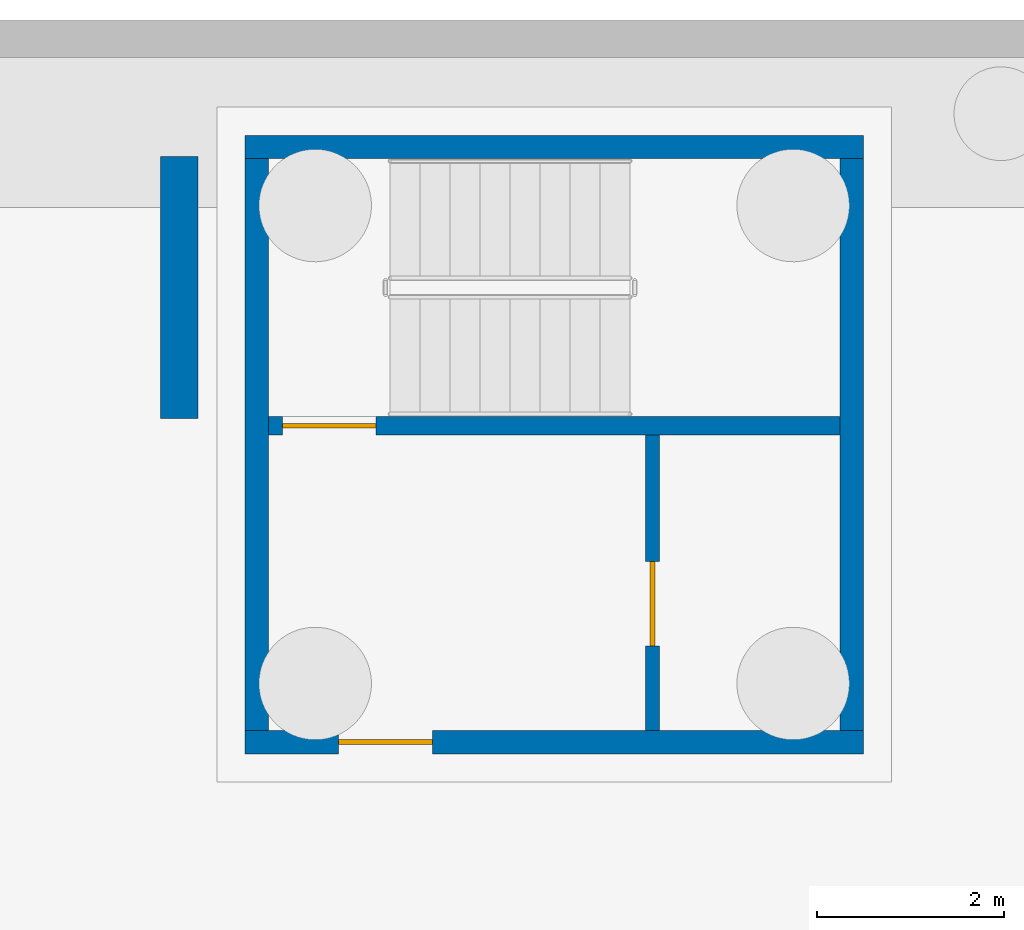
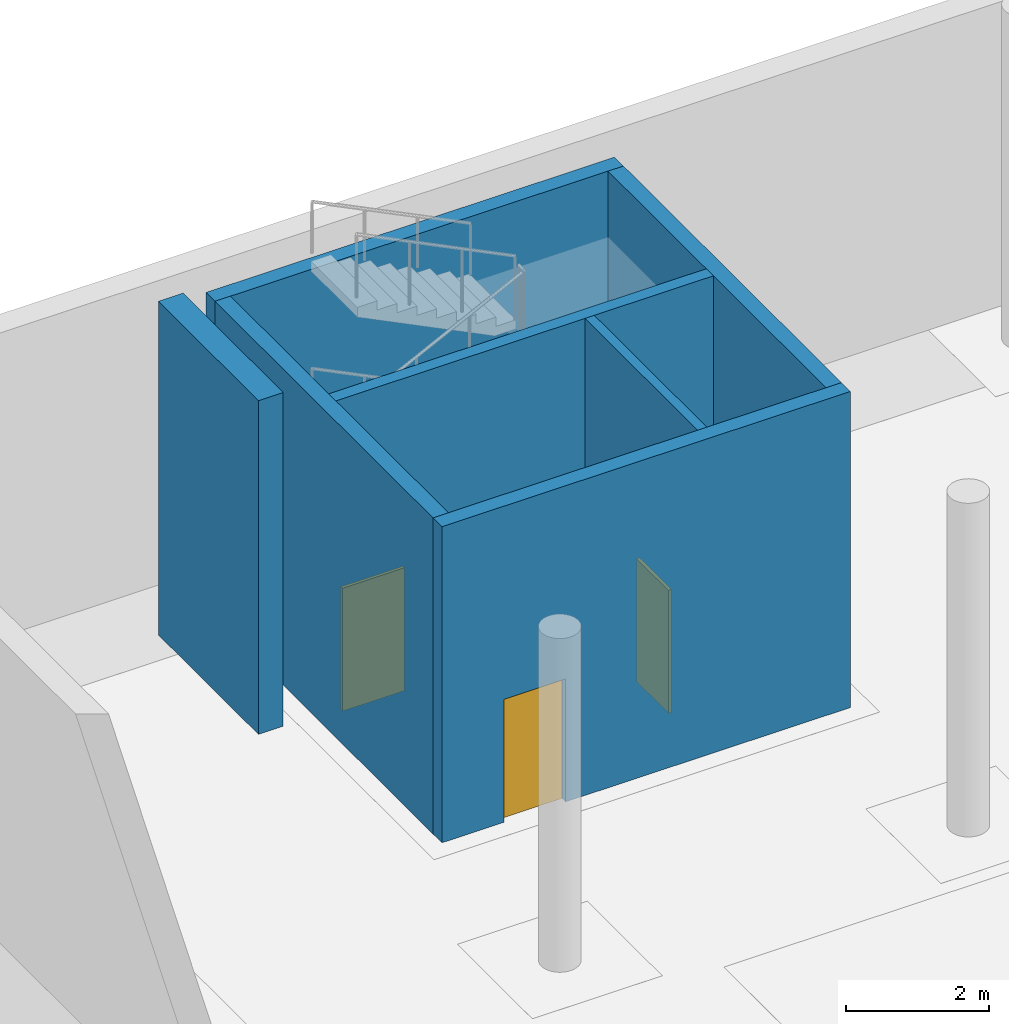
# One storey, part 17 of 38: 7 walls, 3 doors, 3 openings.
"""IFC4 building model written with IfcOpenShell, lengths in metres."""

from ifc_helpers import new_model, si_unit, direction, frame, frame_2d, origin, place, context, subcontext, project, spatial, rectangle, extrude, material, layer, layer_set, type_object, element, fill, save


model = new_model("IFC4")

# Units and contexts
model_context = context("Model", 3, precision=1e-05, world=origin(), true_north=direction((0.0, 1.0)))
body_context = subcontext(model_context, "Body", "Model", "MODEL_VIEW")
ifc_project = project(units=[si_unit("LENGTHUNIT", "METRE"), si_unit("AREAUNIT", "SQUARE_METRE"), si_unit("VOLUMEUNIT", "CUBIC_METRE"), si_unit("PLANEANGLEUNIT", "RADIAN"), si_unit("MASSUNIT", "GRAM", prefix="KILO")], contexts=[model_context])

# Site, building, storey
site_placement = place(None, origin())
site = spatial("IfcSite", under=ifc_project, at=site_placement, CompositionType="ELEMENT")
building_placement = place(site_placement, origin())
building = spatial("IfcBuilding", under=site, at=building_placement, Name="Lantern Court Research Institute", CompositionType="ELEMENT")
storey_placement = place(building_placement, frame((0.0, 0.0, -5.699951171875)))
storey = spatial("IfcBuildingStorey", under=building, at=storey_placement, Name="B1", CompositionType="ELEMENT", Elevation=-5.699951171875)

# Wall, opening, door
ifc_material_1 = material(Name="Concrete C40/50", Category="concrete")
ifc_layer_1 = layer(ifc_material_1, 0.25)
ifc_layer_set_1 = layer_set([ifc_layer_1], Name="Concrete C40/50")
wall_type_1 = type_object("IfcWallType", Name="RC core wall 250", PredefinedType="SHEAR", material=ifc_layer_set_1)
wall_1_placement = place(storey_placement, frame((0.0, 92.52490234375, 0.0), z_axis=(0.0, 0.0, 1.0), x_axis=(1.0, 0.0, 0.0)))
wall_1 = element("IfcWall", 1, at=wall_1_placement, inside=storey, type_object=wall_type_1, Name="South wall of core WC-W", PredefinedType="SHEAR", context=body_context, shape_type="SweptSolid", body=[
    extrude(rectangle(XDim=6.60009765625, YDim=0.25, at=frame_2d((3.300048828125, 0.0))), origin(), (0.0, 0.0, 1.0), 5.39990234375),
])
opening_1_placement = place(wall_1_placement, frame((1.0, 0.0, 0.0)))
opening_1 = element("IfcOpeningElement", 2, at=opening_1_placement, cuts=wall_1, Name="Opening D7198", PredefinedType="OPENING", context=body_context, shape_type="SweptSolid", body=[
    extrude(rectangle(XDim=1.0, YDim=2.10009765625, at=frame_2d((0.5, 1.050048828125))), frame((0.0, 0.135009765625, 0.0), z_axis=(0.0, -1.0, 0.0), x_axis=(1.0, 0.0, 0.0)), (0.0, 0.0, 1.0), 0.27001953125),
])
ifc_material_2 = material(Name="Steel fire door leaf with smoke seals", Category="steel")
door_type_1 = type_object("IfcDoorType", Name="Door 1000 x 2100 fire rated FD60S", OperationType="NOTDEFINED", PredefinedType="DOOR", material=ifc_material_2)
door_1_placement = place(opening_1_placement, origin())
door_1 = element("IfcDoor", 3, at=door_1_placement, inside=storey, type_object=door_type_1, Name="Lobby door", OperationType="SINGLE_SWING_RIGHT", OverallHeight=2.10009765625, OverallWidth=1.0, PredefinedType="DOOR", context=body_context, shape_type="SweptSolid", body=[
    extrude(rectangle(XDim=1.0, YDim=2.10009765625, at=frame_2d((0.5, 1.050048828125))), frame((0.0, 0.02490234375, 0.0), z_axis=(0.0, -1.0, 0.0), x_axis=(1.0, 0.0, 0.0)), (0.0, 0.0, 1.0), 0.050048828125),
])
fill(opening_1, door_1)

# Walls
wall_2_placement = place(storey_placement, frame((0.0, 98.875, 0.0), z_axis=(0.0, 0.0, 1.0), x_axis=(1.0, 0.0, 0.0)))
element("IfcWall", 4, at=wall_2_placement, inside=storey, type_object=wall_type_1, Name="North wall of core WC-W", PredefinedType="SHEAR", context=body_context, shape_type="SweptSolid", body=[
    extrude(rectangle(XDim=6.60009765625, YDim=0.25, at=frame_2d((3.300048828125, 0.0))), origin(), (0.0, 0.0, 1.0), 5.39990234375),
])
for number, where, z_axis, x_axis, name in (
    (5, (0.125, 92.64990234375, 0.0), (0.0, 0.0, 1.0), (0.0, 1.0, 0.0), "West wall of core WC-W"),
    (6, (6.47509765625, 92.64990234375, 0.0), (0.0, 0.0, 1.0), (0.0, 1.0, 0.0), "East wall of core WC-W"),
):
    element("IfcWall", number, at=place(storey_placement, frame(where, z_axis=z_axis, x_axis=x_axis)), inside=storey, type_object=wall_type_1, Name=name, PredefinedType="SHEAR", context=body_context, shape_type="SweptSolid", body=[
        extrude(rectangle(XDim=6.10009765625, YDim=0.25, at=frame_2d((3.050048828125, 0.0))), origin(), (0.0, 0.0, 1.0), 5.39990234375),
    ])

# Wall, opening, door
ifc_material_3 = material(Name="Concrete C40/50", Category="concrete")
ifc_layer_2 = layer(ifc_material_3, 0.14990234375)
ifc_layer_set_2 = layer_set([ifc_layer_2], Name="Concrete C40/50")
wall_type_2 = type_object("IfcWallType", Name="RC shaft wall 150", PredefinedType="SHEAR", material=ifc_layer_set_2)
wall_3_placement = place(storey_placement, frame((4.35009765625, 92.64990234375, 0.0), z_axis=(0.0, 0.0, 1.0), x_axis=(0.0, 1.0, 0.0)))
wall_3 = element("IfcWall", 7, at=wall_3_placement, inside=storey, type_object=wall_type_2, Name="Riser wall of core WC-W", PredefinedType="SHEAR", context=body_context, shape_type="SweptSolid", body=[
    extrude(rectangle(XDim=3.150146484375, YDim=0.14990234375, at=frame_2d((1.5751953125, 0.0))), origin(), (0.0, 0.0, 1.0), 5.39990234375),
])
opening_2_placement = place(wall_3_placement, frame((0.89990234375, 0.0, 0.0)))
opening_2 = element("IfcOpeningElement", 8, at=opening_2_placement, cuts=wall_3, Name="Opening D7197", PredefinedType="OPENING", context=body_context, shape_type="SweptSolid", body=[
    extrude(rectangle(XDim=0.89990234375, YDim=2.10009765625, at=frame_2d((0.449951171875, 1.050048828125))), frame((0.0, 0.0849609375, 0.0), z_axis=(0.0, -1.0, 0.0), x_axis=(1.0, 0.0, 0.0)), (0.0, 0.0, 1.0), 0.169921875),
])
ifc_material_4 = material(Name="Steel fire door leaf", Category="steel")
door_type_2 = type_object("IfcDoorType", Name="Door 900 x 2100 fire rated FD60", OperationType="NOTDEFINED", PredefinedType="DOOR", material=ifc_material_4)
door_2_placement = place(opening_2_placement, origin())
door_2 = element("IfcDoor", 9, at=door_2_placement, inside=storey, type_object=door_type_2, Name="Riser door", OperationType="SINGLE_SWING_RIGHT", OverallHeight=2.10009765625, OverallWidth=0.89990234375, PredefinedType="DOOR", context=body_context, shape_type="SweptSolid", body=[
    extrude(rectangle(XDim=0.89990234375, YDim=2.10009765625, at=frame_2d((0.449951171875, 1.050048828125))), frame((0.0, 0.02490234375, 0.0), z_axis=(0.0, -1.0, 0.0), x_axis=(1.0, 0.0, 0.0)), (0.0, 0.0, 1.0), 0.050048828125),
])
fill(opening_2, door_2)

ifc_material_5 = material(Name="Concrete C40/50", Category="concrete")
ifc_layer_3 = layer(ifc_material_5, 0.199951171875)
ifc_layer_set_3 = layer_set([ifc_layer_3], Name="Concrete C40/50")
wall_type_3 = type_object("IfcWallType", Name="RC shaft wall 200", PredefinedType="SHEAR", material=ifc_layer_set_3)
wall_4_placement = place(storey_placement, frame((0.25, 95.89990234375, 0.0), z_axis=(0.0, 0.0, 1.0), x_axis=(1.0, 0.0, 0.0)))
wall_4 = element("IfcWall", 10, at=wall_4_placement, inside=storey, type_object=wall_type_3, Name="Stair wall of core WC-W", PredefinedType="SHEAR", context=body_context, shape_type="SweptSolid", body=[
    extrude(rectangle(XDim=6.10009765625, YDim=0.199951171875, at=frame_2d((3.050048828125, 0.0))), origin(), (0.0, 0.0, 1.0), 5.39990234375),
])
opening_3_placement = place(wall_4_placement, frame((0.14990234375, 0.0, 0.0)))
opening_3 = element("IfcOpeningElement", 11, at=opening_3_placement, cuts=wall_4, Name="Opening D7199", PredefinedType="OPENING", context=body_context, shape_type="SweptSolid", body=[
    extrude(rectangle(XDim=1.0, YDim=2.10009765625, at=frame_2d((0.5, 1.050048828125))), frame((0.0, 0.10986328125, 0.0), z_axis=(0.0, -1.0, 0.0), x_axis=(1.0, 0.0, 0.0)), (0.0, 0.0, 1.0), 0.219970703125),
])
door_3_placement = place(opening_3_placement, origin())
door_3 = element("IfcDoor", 12, at=door_3_placement, inside=storey, type_object=door_type_1, Name="Stair door", OperationType="SINGLE_SWING_RIGHT", OverallHeight=2.10009765625, OverallWidth=1.0, PredefinedType="DOOR", context=body_context, shape_type="SweptSolid", body=[
    extrude(rectangle(XDim=1.0, YDim=2.10009765625, at=frame_2d((0.5, 1.050048828125))), frame((0.0, 0.02490234375, 0.0), z_axis=(0.0, -1.0, 0.0), x_axis=(1.0, 0.0, 0.0)), (0.0, 0.0, 1.0), 0.050048828125),
])
fill(opening_3, door_3)

# Wall
ifc_material_6 = material(Name="Concrete C30/37", Category="concrete")
ifc_layer_4 = layer(ifc_material_6, 0.39990234375)
ifc_layer_set_4 = layer_set([ifc_layer_4], Name="Concrete C30/37")
wall_type_4 = type_object("IfcWallType", Name="Retaining wall 400", PredefinedType="SOLIDWALL", material=ifc_layer_set_4)
wall_5_placement = place(storey_placement, frame((-0.699951171875, 95.97509765625, 0.0), z_axis=(0.0, 0.0, 1.0), x_axis=(0.0, 1.0, 0.0)))
element("IfcWall", 13, at=wall_5_placement, inside=storey, type_object=wall_type_4, Name="RW9", PredefinedType="SOLIDWALL", context=body_context, shape_type="SweptSolid", body=[
    extrude(rectangle(XDim=2.7998046875, YDim=0.39990234375, at=frame_2d((1.39990234375, 0.0))), origin(), (0.0, 0.0, 1.0), 5.699951171875),
])

save(model, "model.ifc")
